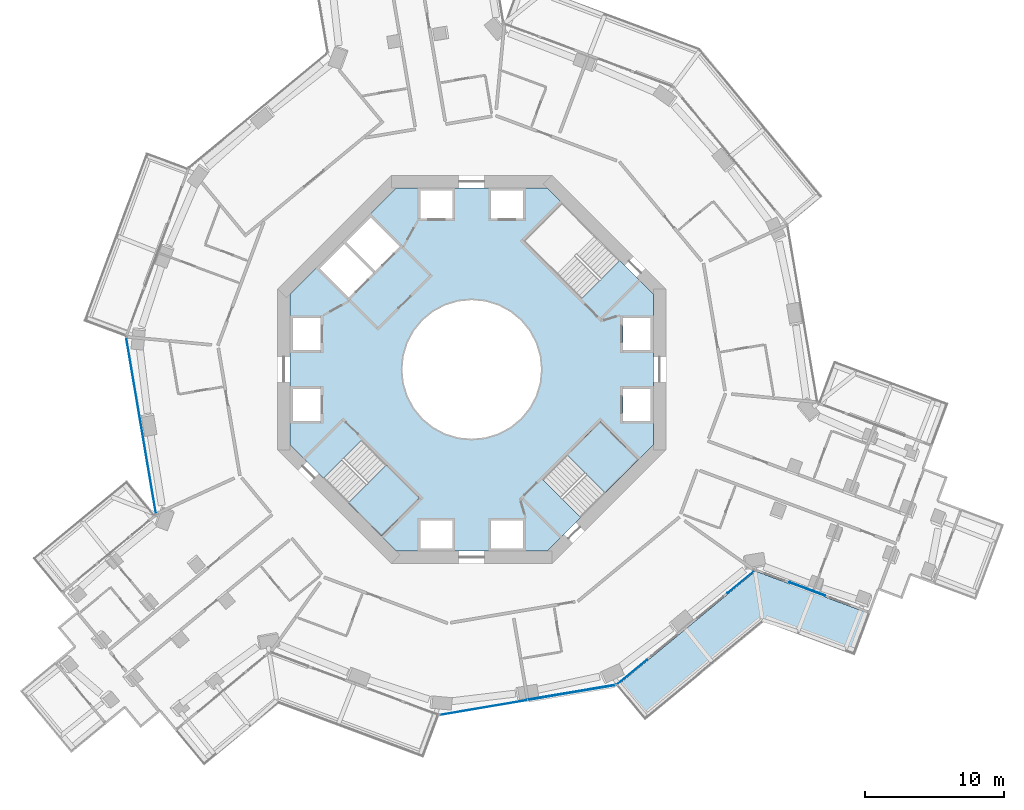
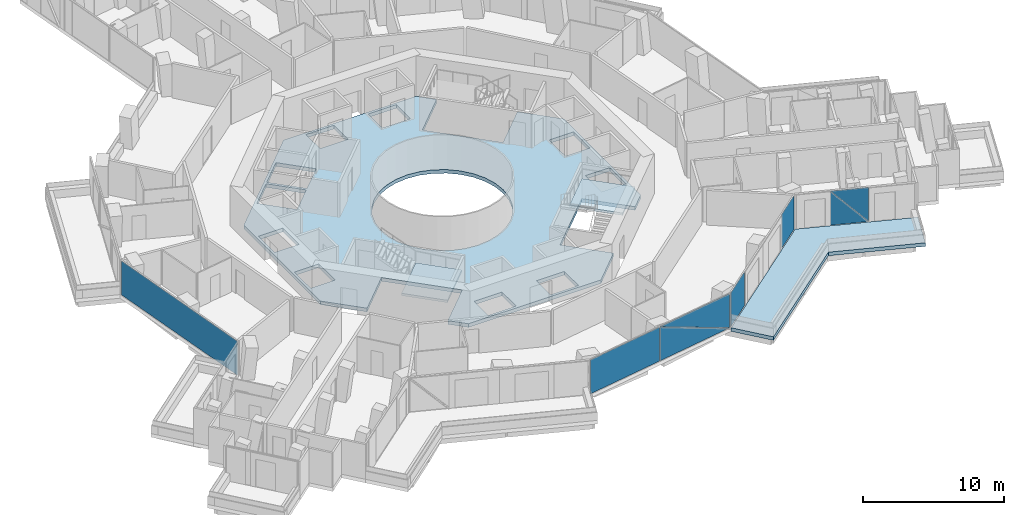
# One storey, part 14 of 27: 8 plates, 4 slabs, 6 elements without a shape of their own.
"""IFC4 building model written with IfcOpenShell, lengths in metres."""

from ifc_helpers import new_model, si_unit, direction, frame, origin, origin_2d, place, context, subcontext, project, spatial, polyline, rectangle, outline, extrude, material, layer, layer_set, type_object, element, aggregate, save


model = new_model("IFC4")

# Units and contexts
model_context = context("Model", 3, precision=1e-05, world=origin(), true_north=direction((0.0, 1.0)))
body_context = subcontext(model_context, "Body", "Model", "MODEL_VIEW")
ifc_project = project(units=[si_unit("LENGTHUNIT", "METRE"), si_unit("AREAUNIT", "SQUARE_METRE"), si_unit("VOLUMEUNIT", "CUBIC_METRE"), si_unit("PLANEANGLEUNIT", "RADIAN"), si_unit("MASSUNIT", "GRAM", prefix="KILO")], contexts=[model_context])

# Site, building, storey
site_placement = place(None, origin())
site = spatial("IfcSite", under=ifc_project, at=site_placement, CompositionType="ELEMENT")
building_placement = place(site_placement, origin())
building = spatial("IfcBuilding", under=site, at=building_placement, Name="Verdalira Terraces Hotel", CompositionType="ELEMENT")
storey_placement = place(building_placement, frame((0.0, 0.0, 71.5)))
storey = spatial("IfcBuildingStorey", under=building, at=storey_placement, Name="L16", CompositionType="ELEMENT", Elevation=71.5)

# Slab
ifc_material_1 = material(Name="Precast concrete C40/50", Category="concrete")
ifc_layer_1 = layer(ifc_material_1, 0.31005859375)
ifc_layer_set_1 = layer_set([ifc_layer_1], Name="Balcony deck 310")
slab_type_1 = type_object("IfcSlabType", Name="Balcony deck 310", PredefinedType="FLOOR", material=ifc_layer_set_1)
slab_1_placement = place(storey_placement, frame((0.0, 0.0, -0.310059)))
element("IfcSlab", 1, at=slab_1_placement, inside=storey, type_object=slab_type_1, Name="Balcony deck", PredefinedType="FLOOR", context=body_context, shape_type="SweptSolid", body=[
    extrude(outline(polyline([(27.622314, -20.621826), (28.737793, -17.622559), (20.471191, -14.548096), (10.45459, -22.834717), (12.494141, -25.300293), (21.087402, -18.191406), (27.622314, -20.621826)])), origin(), (0.0, 0.0, 1.0), 0.310059),
])

# Curtain wall, plate
ifc_material_2 = material(Name="Clear glass", Category="glass")
ifc_layer_2 = layer(ifc_material_2, 0.14990234375)
ifc_layer_set_2 = layer_set([ifc_layer_2], Name="CW1 curtain wall")
curtain_wall_type_1 = type_object("IfcCurtainWallType", Name="CW1 curtain wall", PredefinedType="NOTDEFINED", material=ifc_layer_set_2)
curtain_wall_1_placement = place(storey_placement, origin())
curtain_wall_1 = element("IfcCurtainWall", 2, at=curtain_wall_1_placement, inside=storey, type_object=curtain_wall_type_1, Name="CW1 curtain wall L16 edge 13", PredefinedType="NOTDEFINED")
ifc_material_3 = material(Name="Clear glass", Category="glass")
ifc_layer_3 = layer(ifc_material_3, 0.028076171875)
ifc_layer_set_3 = layer_set([ifc_layer_3], Name="CW1 glass unit 28")
plate_type_1 = type_object("IfcPlateType", Name="CW1 glass unit 28", PredefinedType="CURTAIN_PANEL", material=ifc_layer_set_3)
plate_1_placement = place(storey_placement, frame((-23.841309, -4.052734, 0.0), z_axis=(0.0, 0.0, 1.0), x_axis=(0.166768747, -0.985996037, 0.0)))
plate_1 = element("IfcPlate", 3, at=plate_1_placement, type_object=plate_type_1, Name="CW1 glass unit", PredefinedType="CURTAIN_PANEL", context=body_context, shape_type="SweptSolid", body=[
    extrude(rectangle(XDim=12.839844, YDim=0.028076, at=origin_2d()), origin(), (0.0, 0.0, 1.0), 2.935059),
])
aggregate(curtain_wall_1, [plate_1])

# Curtain wall, plates
curtain_wall_2_placement = place(storey_placement, origin())
curtain_wall_2 = element("IfcCurtainWall", 4, at=curtain_wall_2_placement, inside=storey, type_object=curtain_wall_type_1, Name="CW1 curtain wall L16 edge 26", PredefinedType="NOTDEFINED")
plate_2_placement = place(storey_placement, frame((0.863037, -24.380859, 0.0), z_axis=(0.0, 0.0, 1.0), x_axis=(0.985996037, 0.166768747, 0.0)))
plate_2 = element("IfcPlate", 5, at=plate_2_placement, type_object=plate_type_1, Name="CW1 glass unit", PredefinedType="CURTAIN_PANEL", context=body_context, shape_type="SweptSolid", body=[
    extrude(rectangle(XDim=6.369873, YDim=0.028076, at=origin_2d()), origin(), (0.0, 0.0, 1.0), 2.935059),
])
plate_3_placement = place(storey_placement, frame((7.200439, -23.294678, 1.467529), z_axis=(0.166768747, -0.985996037, 0.0), x_axis=(0.985996037, 0.166768747, 0.0)))
plate_3 = element("IfcPlate", 6, at=plate_3_placement, type_object=plate_type_1, Name="CW1 glass unit", PredefinedType="CURTAIN_PANEL", context=body_context, shape_type="SweptSolid", body=[
    extrude(outline(polyline([(-3.185059, -1.467529), (3.185059, -1.467529), (-3.185059, 1.467529), (-3.185059, -1.467529)])), origin(), (0.0, 0.0, 1.0), 0.028076),
])
plate_4_placement = place(storey_placement, frame((7.195801, -23.266113, 1.467529), z_axis=(0.166768747, -0.985996037, 0.0), x_axis=(0.985996037, 0.166768747, 0.0)))
plate_4 = element("IfcPlate", 7, at=plate_4_placement, type_object=plate_type_1, Name="CW1 glass unit", PredefinedType="CURTAIN_PANEL", context=body_context, shape_type="SweptSolid", body=[
    extrude(outline(polyline([(3.185059, -1.467529), (3.185059, 1.467529), (-3.185059, 1.467529), (3.185059, -1.467529)])), origin(), (0.0, 0.0, 1.0), 0.028076),
])
aggregate(curtain_wall_2, [plate_2, plate_3, plate_4])

curtain_wall_3_placement = place(storey_placement, origin())
curtain_wall_3 = element("IfcCurtainWall", 8, at=curtain_wall_3_placement, inside=storey, type_object=curtain_wall_type_1, Name="CW1 curtain wall L16 edge 27", PredefinedType="NOTDEFINED")
plate_5_placement = place(storey_placement, frame((11.5625, -21.820557, 0.0), z_axis=(0.0, 0.0, 1.0), x_axis=(0.770513243, 0.63742399, 0.0)))
plate_5 = element("IfcPlate", 9, at=plate_5_placement, type_object=plate_type_1, Name="CW1 glass unit", PredefinedType="CURTAIN_PANEL", context=body_context, shape_type="SweptSolid", body=[
    extrude(rectangle(XDim=2.799805, YDim=0.028076, at=origin_2d()), origin(), (0.0, 0.0, 1.0), 2.935059),
])
plate_6_placement = place(storey_placement, frame((19.413574, -15.325684, 0.0), z_axis=(0.0, 0.0, 1.0), x_axis=(0.770513243, 0.63742399, 0.0)))
plate_6 = element("IfcPlate", 10, at=plate_6_placement, type_object=plate_type_1, Name="CW1 glass unit", PredefinedType="CURTAIN_PANEL", context=body_context, shape_type="SweptSolid", body=[
    extrude(rectangle(XDim=2.500977, YDim=0.028076, at=origin_2d()), origin(), (0.0, 0.0, 1.0), 2.935059),
])
aggregate(curtain_wall_3, [plate_5, plate_6])

ifc_material_4 = material(Name="Clear glass", Category="glass")
ifc_layer_4 = layer(ifc_material_4, 0.14990234375)
ifc_layer_set_4 = layer_set([ifc_layer_4], Name="CW2 curtain wall")
curtain_wall_type_2 = type_object("IfcCurtainWallType", Name="CW2 curtain wall", PredefinedType="NOTDEFINED", material=ifc_layer_set_4)
curtain_wall_4_placement = place(storey_placement, origin())
curtain_wall_4 = element("IfcCurtainWall", 11, at=curtain_wall_4_placement, inside=storey, type_object=curtain_wall_type_2, Name="CW2 curtain wall L16 edge 28", PredefinedType="NOTDEFINED")
ifc_material_5 = material(Name="Clear glass", Category="glass")
ifc_layer_5 = layer(ifc_material_5, 0.031982421875)
ifc_layer_set_5 = layer_set([ifc_layer_5], Name="CW2 glass unit 32")
plate_type_2 = type_object("IfcPlateType", Name="CW2 glass unit 32", PredefinedType="CURTAIN_PANEL", material=ifc_layer_set_5)
plate_7_placement = place(storey_placement, frame((24.190918, -15.834473, 1.467529), z_axis=(-0.348572047, -0.937281989, 0.0), x_axis=(0.937281989, -0.348572047, 0.0)))
plate_7 = element("IfcPlate", 12, at=plate_7_placement, type_object=plate_type_2, Name="CW2 glass unit", PredefinedType="CURTAIN_PANEL", context=body_context, shape_type="SweptSolid", body=[
    extrude(outline(polyline([(-1.368164, -1.467529), (1.368164, -1.467529), (-1.368164, 1.467529), (-1.368164, -1.467529)])), origin(), (0.0, 0.0, 1.0), 0.031982),
])
plate_8_placement = place(storey_placement, frame((24.202393, -15.803467, 1.467529), z_axis=(-0.348572047, -0.937281989, 0.0), x_axis=(0.937281989, -0.348572047, 0.0)))
plate_8 = element("IfcPlate", 13, at=plate_8_placement, type_object=plate_type_2, Name="CW2 glass unit", PredefinedType="CURTAIN_PANEL", context=body_context, shape_type="SweptSolid", body=[
    extrude(outline(polyline([(1.368164, -1.467529), (1.368164, 1.467529), (-1.368164, 1.467529), (1.368164, -1.467529)])), origin(), (0.0, 0.0, 1.0), 0.031982),
])
aggregate(curtain_wall_4, [plate_7, plate_8])

# Slab
ifc_material_6 = material(Name="Concrete C40", Category="concrete")
ifc_layer_6 = layer(ifc_material_6, 0.31005859375)
ifc_layer_set_6 = layer_set([ifc_layer_6], Name="Core floor slab 310 mm")
slab_type_2 = type_object("IfcSlabType", Name="Core floor slab 310 mm", PredefinedType="FLOOR", material=ifc_layer_set_6)
slab_2_placement = place(storey_placement, frame((0.0, 0.0, -0.310059)))
element("IfcSlab", 14, at=slab_2_placement, inside=storey, type_object=slab_type_2, Name="L16 core floor", PredefinedType="FLOOR", context=body_context, shape_type="SweptSolid", body=[
    extrude(outline(polyline([(-5.42627, 13.100098), (5.42627, 13.100098), (6.491211, 12.034912), (3.719482, 9.263184), (7.905029, 5.077393), (10.677002, 7.849121), (13.100098, 5.42627), (13.100098, -5.42627), (12.034912, -6.491211), (9.263184, -3.719482), (5.077393, -7.905029), (7.849121, -10.677002), (5.42627, -13.100098), (-5.42627, -13.100098), (-6.491211, -12.034912), (-3.719482, -9.263184), (-7.905029, -5.077393), (-10.677002, -7.849121), (-13.100098, -5.42627), (-13.100098, 5.42627), (-5.42627, 13.100098)]), holes=[polyline([(12.899902, -3.699951), (12.899902, -1.399902), (10.899902, -1.399902), (10.899902, -3.699951), (12.899902, -3.699951)]), polyline([(12.899902, 1.399902), (12.899902, 3.699951), (10.899902, 3.699951), (10.899902, 1.399902), (12.899902, 1.399902)]), polyline([(1.399902, 10.899902), (3.699951, 10.899902), (3.699951, 12.899902), (1.399902, 12.899902), (1.399902, 10.899902)]), polyline([(-3.699951, 10.899902), (-1.399902, 10.899902), (-1.399902, 12.899902), (-3.699951, 12.899902), (-3.699951, 10.899902)]), polyline([(-12.899902, 3.699951), (-12.899902, 1.399902), (-10.899902, 1.399902), (-10.899902, 3.699951), (-12.899902, 3.699951)]), polyline([(-12.899902, -1.399902), (-12.899902, -3.699951), (-10.899902, -3.699951), (-10.899902, -1.399902), (-12.899902, -1.399902)]), polyline([(-1.399902, -10.899902), (-3.699951, -10.899902), (-3.699951, -12.899902), (-1.399902, -12.899902), (-1.399902, -10.899902)]), polyline([(3.699951, -10.899902), (1.399902, -10.899902), (1.399902, -12.899902), (3.699951, -12.899902), (3.699951, -10.899902)]), polyline([(-9.051025, 9.192383), (-6.965088, 7.106445), (-5.197266, 8.874268), (-7.283203, 10.960205), (-9.051025, 9.192383)]), polyline([(-9.192383, 9.051025), (-10.960205, 7.283203), (-8.874268, 5.197266), (-7.106445, 6.965088), (-9.192383, 9.051025)]), polyline([(3.5354, 3.5354), (2.777832, 4.157227), (1.91333, 4.619385), (0.975586, 4.903809), (0.0, 5.0), (-0.975586, 4.903809), (-1.91333, 4.619385), (-2.777832, 4.157227), (-3.5354, 3.5354), (-4.157227, 2.777832), (-4.619385, 1.91333), (-4.903809, 0.975586), (-5.0, 0.0), (-4.903809, -0.975586), (-4.619385, -1.91333), (-4.157227, -2.777832), (-3.5354, -3.5354), (-2.777832, -4.157227), (-1.91333, -4.619385), (-0.975586, -4.903809), (0.0, -5.0), (0.975586, -4.903809), (1.91333, -4.619385), (2.777832, -4.157227), (3.5354, -3.5354), (4.157227, -2.777832), (4.619385, -1.91333), (4.903809, -0.975586), (5.0, 0.0), (4.903809, 0.975586), (4.619385, 1.91333), (4.157227, 2.777832), (3.5354, 3.5354)])]), origin(), (0.0, 0.0, 1.0), 0.310059),
])

# Stair, slab
ifc_material_7 = material(Name="Concrete C40", Category="concrete")
stair_type = type_object("IfcStairType", Name="Core stair 20 risers 1900 mm wide", PredefinedType="HALF_TURN_STAIR", material=ifc_material_7)
stair_1_placement = place(storey_placement, origin())
stair_1 = element("IfcStair", 15, at=stair_1_placement, inside=storey, type_object=stair_type, Name="L16 Exit stair ST2", PredefinedType="HALF_TURN_STAIR")
ifc_material_8 = material(Name="Concrete C40", Category="concrete")
ifc_layer_7 = layer(ifc_material_8, 0.199951171875)
ifc_layer_set_7 = layer_set([ifc_layer_7], Name="Core stair landing 200 mm")
slab_type_3 = type_object("IfcSlabType", Name="Core stair landing 200 mm", PredefinedType="LANDING", material=ifc_layer_set_7)
slab_3_placement = place(storey_placement, frame((0.0, 0.0, 1.550049)))
slab_3 = element("IfcSlab", 16, at=slab_3_placement, type_object=slab_type_3, Name="ST2 landing 1", PredefinedType="LANDING", context=body_context, shape_type="SweptSolid", body=[
    extrude(outline(polyline([(-8.895752, -9.630371), (-6.505371, -12.020752), (-3.747559, -9.263184), (-6.137939, -6.872803), (-8.895752, -9.630371)])), origin(), (0.0, 0.0, 1.0), 0.199951),
])
aggregate(stair_1, [slab_3])

stair_2_placement = place(storey_placement, origin())
stair_2 = element("IfcStair", 17, at=stair_2_placement, inside=storey, type_object=stair_type, Name="L16 Exit stair ST3", PredefinedType="HALF_TURN_STAIR")
slab_4_placement = place(storey_placement, frame((0.0, 0.0, 1.550049)))
slab_4 = element("IfcSlab", 18, at=slab_4_placement, type_object=slab_type_3, Name="ST3 landing 1", PredefinedType="LANDING", context=body_context, shape_type="SweptSolid", body=[
    extrude(outline(polyline([(9.630371, -8.895752), (12.020752, -6.505371), (9.263184, -3.747559), (6.872803, -6.137939), (9.630371, -8.895752)])), origin(), (0.0, 0.0, 1.0), 0.199951),
])
aggregate(stair_2, [slab_4])

save(model, "model.ifc")
